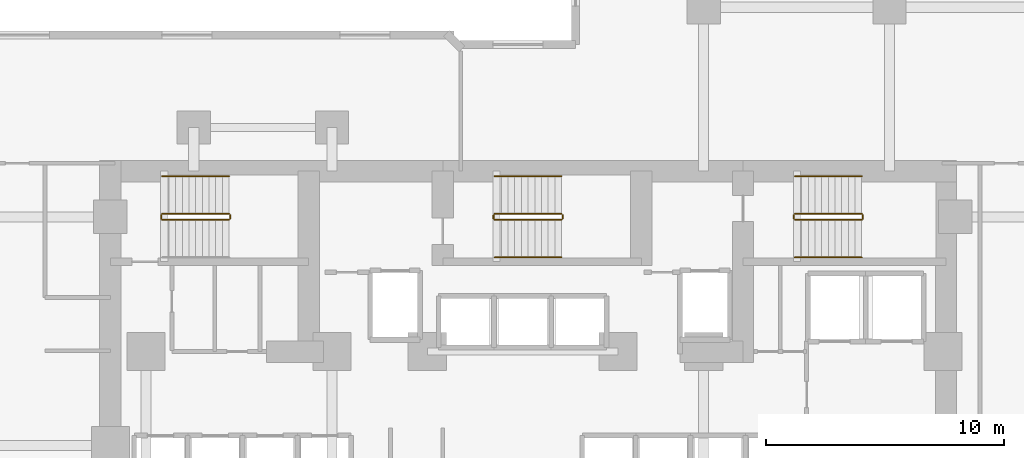
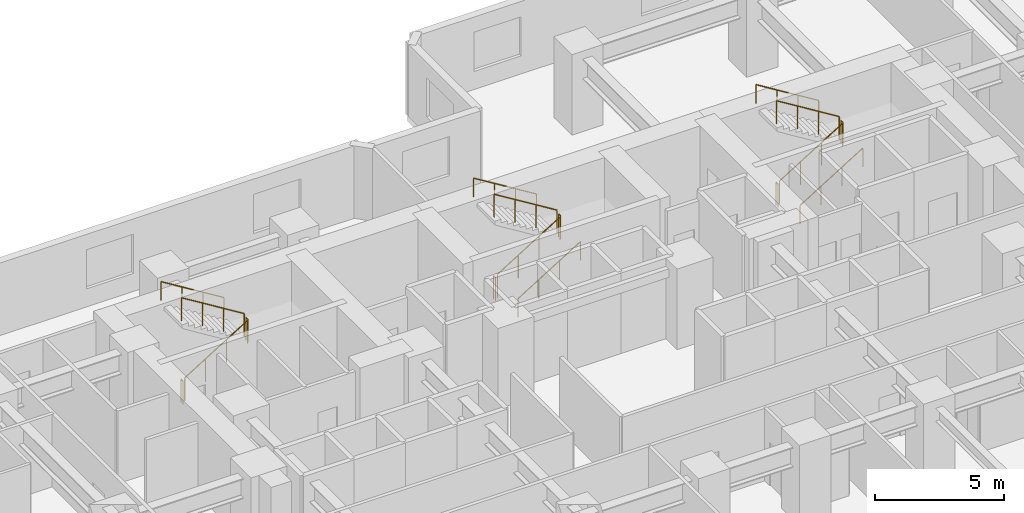
# One storey, part 11 of 11: 17 railings.
"""IFC4 building model written with IfcOpenShell, lengths in metres."""

import ifcopenshell
import ifcopenshell.guid

model = None  # the IFC model being written
_history = None  # IfcOwnerHistory: only IFC2X3 demands one
_inside = {}  # id of a spatial element -> (the spatial element, [elements in it])
_under = {}  # id of a project, library or spatial element -> (it, [spatial elements below it])
_declared = {}  # id of a project -> (the project, [libraries it declares])
_typed = {}  # id of a type object -> (the type object, [elements of that type])
_made_of = {}  # id of a material, layer set ... -> (it, [elements and type objects made of it])


def new_model(schema):
    """Start an empty IFC model of exactly this schema.

    Asked for "IFC4X3", IfcOpenShell would pick the latest addendum, in which some entities
    have other attributes; the version numbers below select the first issue.
    IFC2X3 requires an IfcOwnerHistory on every rooted entity: one is made here for all.
    """
    global model, _history
    if schema == "IFC4X3":
        model = ifcopenshell.file(schema_version=(4, 3, 0, 0))
    else:
        model = ifcopenshell.file(schema=schema)
    _inside.clear()
    _under.clear()
    _declared.clear()
    _typed.clear()
    _made_of.clear()
    _history = None
    if model.schema == "IFC2X3":
        org = make("IfcOrganization", Name="unknown")
        user = make(
            "IfcPersonAndOrganization",
            ThePerson=make("IfcPerson", FamilyName="unknown"),
            TheOrganization=org,
        )
        app = make(
            "IfcApplication",
            ApplicationDeveloper=org,
            Version="unknown",
            ApplicationFullName="unknown",
            ApplicationIdentifier="unknown",
        )
        _history = make(
            "IfcOwnerHistory",
            OwningUser=user,
            OwningApplication=app,
            ChangeAction="ADDED",
            CreationDate=0,
        )
    return model


def make(cls, **values):
    """One entity of the class cls with the attributes given. An attribute that is None is left unset."""
    return model.create_entity(
        cls, **{name: value for name, value in values.items() if value is not None}
    )


def rooted(cls, **values):
    """An entity with a GlobalId (a new one), such as an element, a storey or a relation."""
    return make(cls, GlobalId=ifcopenshell.guid.new(), OwnerHistory=_history, **values)


def si_unit(unit_type, name, prefix=None):
    """IfcSIUnit, for example si_unit("LENGTHUNIT", "METRE", prefix="MILLI")."""
    return make("IfcSIUnit", UnitType=unit_type, Prefix=prefix, Name=name)


def assignment(units):
    """IfcUnitAssignment: the units of a project."""
    return None if units is None else make("IfcUnitAssignment", Units=units)


def point(xyz):
    """IfcCartesianPoint."""
    return None if xyz is None else make("IfcCartesianPoint", Coordinates=xyz)


def direction(xyz):
    """IfcDirection."""
    return None if xyz is None else make("IfcDirection", DirectionRatios=xyz)


def frame(location, z_axis=None, x_axis=None):
    """IfcAxis2Placement3D, a coordinate frame: its origin and axes. An axis left out is left unset."""
    return make(
        "IfcAxis2Placement3D",
        Location=point(location),
        Axis=direction(z_axis),
        RefDirection=direction(x_axis),
    )


def frame_2d(location, x_axis=None):
    """IfcAxis2Placement2D, a coordinate frame in the plane: its origin and x axis."""
    return make(
        "IfcAxis2Placement2D", Location=point(location), RefDirection=direction(x_axis)
    )


def origin():
    """The frame at (0, 0, 0) with its axes left unset."""
    return frame((0.0, 0.0, 0.0))


def origin_2d():
    """The frame at (0, 0) in the plane with its x axis left unset."""
    return frame_2d((0.0, 0.0))


def place(relative_to, where):
    """IfcLocalPlacement: puts the frame where relative to a parent placement (None: the world)."""
    return make(
        "IfcLocalPlacement", PlacementRelTo=relative_to, RelativePlacement=where
    )


def context(
    kind, dimensions, precision=None, world=None, true_north=None, identifier=None
):
    """IfcGeometricRepresentationContext, for example the 3D "Model" context."""
    return make(
        "IfcGeometricRepresentationContext",
        ContextIdentifier=identifier,
        ContextType=kind,
        CoordinateSpaceDimension=dimensions,
        Precision=precision,
        WorldCoordinateSystem=world,
        TrueNorth=true_north,
    )


def subcontext(parent, identifier, kind, view, scale=None):
    """IfcGeometricRepresentationSubContext, for example "Body" below "Model"."""
    return make(
        "IfcGeometricRepresentationSubContext",
        ContextIdentifier=identifier,
        ContextType=kind,
        ParentContext=parent,
        TargetScale=scale,
        TargetView=view,
    )


def project(units=None, contexts=None):
    """IfcProject with its units and contexts."""
    return rooted(
        "IfcProject",
        Name="project",
        RepresentationContexts=contexts,
        UnitsInContext=assignment(units),
    )


def spatial(cls, under=None, at=None, **own):
    """A site, building, storey or space (cls), placed at a placement, below another one or the project."""
    s = rooted(cls, ObjectPlacement=at, **own)
    if under is not None:
        _under.setdefault(under.id(), (under, []))[1].append(s)
    return s


def profile(cls, at=None, kind="AREA", **sizes):
    """A parametric profile (cls). Its sizes go by their IFC names, for example OverallWidth=200.0."""
    return make(cls, ProfileType=kind, Position=at, **sizes)


def circle(**sizes):
    """IfcCircleProfileDef."""
    return profile("IfcCircleProfileDef", **sizes)


def extrude(swept, where, along, depth):
    """IfcExtrudedAreaSolid: the profile swept, set in the frame where, extruded along a direction by depth."""
    return make(
        "IfcExtrudedAreaSolid",
        SweptArea=swept,
        Position=where,
        ExtrudedDirection=direction(along),
        Depth=depth,
    )


def shape(context_of_items, identifier, shape_type, items):
    """IfcShapeRepresentation: the items that make up one representation, for example the "Body"."""
    return make(
        "IfcShapeRepresentation",
        ContextOfItems=context_of_items,
        RepresentationIdentifier=identifier,
        RepresentationType=shape_type,
        Items=items,
    )


def material(Name=None, Category=None):
    """IfcMaterial."""
    return make("IfcMaterial", Name=Name, Category=Category)


def made_of(thing, what):
    """Note that an element or type object is made of a material, layer set ...; save() writes the relation."""
    if what is not None:
        _made_of.setdefault(what.id(), (what, []))[1].append(thing)
    return thing


def type_object(cls, material=None, **own):
    """A type object (cls), such as IfcWallType, which elements share."""
    return made_of(rooted(cls, **own), material)


def element(
    cls,
    number,
    at=None,
    inside=None,
    cuts=None,
    type_object=None,
    material=None,
    context=None,
    identifier="Body",
    shape_type=None,
    held_by="IfcProductDefinitionShape",
    body=None,
    shapes=None,
    **own,
):
    """One element of the class cls, such as IfcWall. Its Tag is "e" and its number.

    at: its placement. inside: the storey or other place that contains it. cuts: it is an
    opening in that element (IfcRelVoidsElement). A single representation is given by context,
    identifier, shape_type and body (its items); several are given by shapes. held_by: the class
    of the entity that holds the representations. save() writes the other relations.
    """
    e = rooted(cls, Tag="e%d" % number, ObjectPlacement=at, **own)
    if body is not None:
        shapes = [shape(context, identifier, shape_type, body)]
    if shapes is not None:
        e.Representation = make(held_by, Representations=shapes)
    if inside is not None:
        _inside.setdefault(inside.id(), (inside, []))[1].append(e)
    if cuts is not None:
        rooted(
            "IfcRelVoidsElement", RelatingBuildingElement=cuts, RelatedOpeningElement=e
        )
    if type_object is not None:
        _typed.setdefault(type_object.id(), (type_object, []))[1].append(e)
    return made_of(e, material)


def aggregate(whole, parts):
    """IfcRelAggregates: a whole, such as a stair, and the parts it consists of."""
    return rooted("IfcRelAggregates", RelatingObject=whole, RelatedObjects=parts)


def save(model, path):
    """Write the relations noted so far, then the file.

    IfcRelAggregates (storeys below a building ...), IfcRelContainedInSpatialStructure (elements
    in a storey), IfcRelDefinesByType, IfcRelAssociatesMaterial and IfcRelDeclares: one each for
    every whole, place, type object, material and project.
    """
    for whole, parts in _under.values():
        aggregate(whole, parts)
    for where, things in _inside.values():
        rooted(
            "IfcRelContainedInSpatialStructure",
            RelatedElements=things,
            RelatingStructure=where,
        )
    for kind, things in _typed.values():
        rooted("IfcRelDefinesByType", RelatedObjects=things, RelatingType=kind)
    for what, things in _made_of.values():
        rooted("IfcRelAssociatesMaterial", RelatedObjects=things, RelatingMaterial=what)
    for by, libraries in _declared.values():
        rooted("IfcRelDeclares", RelatingContext=by, RelatedDefinitions=libraries)
    model.write(path)


model = new_model("IFC4")

# Units and contexts
model_context = context("Model", 3, precision=1e-05, world=origin(), true_north=direction((0.0, 1.0)))
body_context = subcontext(model_context, "Body", "Model", "MODEL_VIEW")
ifc_project = project(units=[si_unit("LENGTHUNIT", "METRE"), si_unit("AREAUNIT", "SQUARE_METRE"), si_unit("VOLUMEUNIT", "CUBIC_METRE"), si_unit("PLANEANGLEUNIT", "RADIAN"), si_unit("MASSUNIT", "GRAM", prefix="KILO")], contexts=[model_context])

# Site, building, storey
site_placement = place(None, origin())
site = spatial("IfcSite", under=ifc_project, at=site_placement, CompositionType="ELEMENT")
building_placement = place(site_placement, origin())
building = spatial("IfcBuilding", under=site, at=building_placement, Name="Kestravale Grand Hotel", CompositionType="ELEMENT")
storey_placement = place(building_placement, frame((0.0, 0.0, 71.60009765625)))
storey = spatial("IfcBuildingStorey", under=building, at=storey_placement, Name="L17", CompositionType="ELEMENT", Elevation=71.60009765625)

# Railings
ifc_material_1 = material(Name="Painted tubular steel stair well guard", Category="steel")
railing_type_1 = type_object("IfcRailingType", Name="RL-ST-GRD1100", PredefinedType="GUARDRAIL", material=ifc_material_1)
railing_1_placement = place(storey_placement, frame((24.080078125, 38.280029296875, 0.172607421875)))
element("IfcRailing", 1, at=railing_1_placement, inside=storey, type_object=railing_type_1, Name="L17 ST-1 stair guard 1", PredefinedType="GUARDRAIL", context=body_context, shape_type="SweptSolid", body=[
    extrude(circle(Radius=0.02392578125, at=origin_2d()), frame((0.0, 0.0, 1.076171875), z_axis=(0.851069175582, 0.0, 0.525053576669), x_axis=(0.0, 1.0, 0.0)), (0.0, 0.0, 1.0), 3.289794921875),
    extrude(circle(Radius=0.02099609375, at=origin_2d()), origin(), (0.0, 0.0, 1.0), 1.052001953125),
    extrude(circle(Radius=0.02099609375, at=origin_2d()), frame((0.933349609375, 0.0, 0.57568359375)), (0.0, 0.0, 1.0), 1.052001953125),
    extrude(circle(Radius=0.02099609375, at=origin_2d()), frame((1.866455078125, 0.0, 1.151611328125)), (0.0, 0.0, 1.0), 1.052001953125),
    extrude(circle(Radius=0.02099609375, at=origin_2d()), frame((2.7998046875, 0.0, 1.727294921875)), (0.0, 0.0, 1.0), 1.052001953125),
])
railing_2_placement = place(storey_placement, frame((26.929931640625, 38.330078125, 1.89990234375)))
element("IfcRailing", 2, at=railing_2_placement, inside=storey, type_object=railing_type_1, Name="L17 ST-1 stair guard 2", PredefinedType="GUARDRAIL", context=body_context, shape_type="SweptSolid", body=[
    extrude(circle(Radius=0.02392578125, at=origin_2d()), frame((0.0, 0.0, 1.076171875), z_axis=(0.0, 1.0, 0.0), x_axis=(-1.0, 0.0, 0.0)), (0.0, 0.0, 1.0), 0.14990234375),
    extrude(circle(Radius=0.02099609375, at=origin_2d()), origin(), (0.0, 0.0, 1.0), 1.052001953125),
    extrude(circle(Radius=0.02099609375, at=origin_2d()), frame((0.0, 0.14990234375, 0.0)), (0.0, 0.0, 1.0), 1.052001953125),
])
railing_3_placement = place(storey_placement, frame((26.8798828125, 38.530029296875, 2.072509765625)))
element("IfcRailing", 3, at=railing_3_placement, inside=storey, type_object=railing_type_1, Name="L17 ST-1 stair guard 3", PredefinedType="GUARDRAIL", context=body_context, shape_type="SweptSolid", body=[
    extrude(circle(Radius=0.02392578125, at=origin_2d()), frame((0.0, 0.0, 1.076171875), z_axis=(-0.851069175582, 0.0, 0.525053576669), x_axis=(0.0, -1.0, 0.0)), (0.0, 0.0, 1.0), 3.289794921875),
    extrude(circle(Radius=0.02099609375, at=origin_2d()), origin(), (0.0, 0.0, 1.0), 1.052001953125),
    extrude(circle(Radius=0.02099609375, at=origin_2d()), frame((-0.933349609375, 0.0, 0.57568359375)), (0.0, 0.0, 1.0), 1.052001953125),
    extrude(circle(Radius=0.02099609375, at=origin_2d()), frame((-1.866455078125, 0.0, 1.151611328125)), (0.0, 0.0, 1.0), 1.052001953125),
    extrude(circle(Radius=0.02099609375, at=origin_2d()), frame((-2.7998046875, 0.0, 1.727294921875)), (0.0, 0.0, 1.0), 1.052001953125),
])
railing_4_placement = place(storey_placement, frame((24.030029296875, 38.330078125, 0.0)))
element("IfcRailing", 4, at=railing_4_placement, inside=storey, type_object=railing_type_1, Name="L17 ST-1 stair guard 4", PredefinedType="GUARDRAIL", context=body_context, shape_type="SweptSolid", body=[
    extrude(circle(Radius=0.02392578125, at=origin_2d()), frame((0.0, 0.0, 1.076171875), z_axis=(0.0, 1.0, 0.0), x_axis=(-1.0, 0.0, 0.0)), (0.0, 0.0, 1.0), 0.14990234375),
    extrude(circle(Radius=0.02099609375, at=origin_2d()), origin(), (0.0, 0.0, 1.0), 1.052001953125),
    extrude(circle(Radius=0.02099609375, at=origin_2d()), frame((0.0, 0.14990234375, 0.0)), (0.0, 0.0, 1.0), 1.052001953125),
])
railing_5_placement = place(storey_placement, frame((38.030029296875, 38.280029296875, 0.172607421875)))
element("IfcRailing", 5, at=railing_5_placement, inside=storey, type_object=railing_type_1, Name="L17 ST-2 stair guard 1", PredefinedType="GUARDRAIL", context=body_context, shape_type="SweptSolid", body=[
    extrude(circle(Radius=0.02392578125, at=origin_2d()), frame((0.0, 0.0, 1.076171875), z_axis=(0.851089632645, 0.0, 0.525020415988), x_axis=(0.0, 1.0, 0.0)), (0.0, 0.0, 1.0), 3.2900390625),
    extrude(circle(Radius=0.02099609375, at=origin_2d()), origin(), (0.0, 0.0, 1.0), 1.052001953125),
    extrude(circle(Radius=0.02099609375, at=origin_2d()), frame((0.933349609375, 0.0, 0.57568359375)), (0.0, 0.0, 1.0), 1.052001953125),
    extrude(circle(Radius=0.02099609375, at=origin_2d()), frame((1.86669921875, 0.0, 1.151611328125)), (0.0, 0.0, 1.0), 1.052001953125),
    extrude(circle(Radius=0.02099609375, at=origin_2d()), frame((2.800048828125, 0.0, 1.727294921875)), (0.0, 0.0, 1.0), 1.052001953125),
])
railing_6_placement = place(storey_placement, frame((40.8798828125, 38.330078125, 1.89990234375)))
element("IfcRailing", 6, at=railing_6_placement, inside=storey, type_object=railing_type_1, Name="L17 ST-2 stair guard 2", PredefinedType="GUARDRAIL", context=body_context, shape_type="SweptSolid", body=[
    extrude(circle(Radius=0.02392578125, at=origin_2d()), frame((0.0, 0.0, 1.076171875), z_axis=(0.0, 1.0, 0.0), x_axis=(-1.0, 0.0, 0.0)), (0.0, 0.0, 1.0), 0.14990234375),
    extrude(circle(Radius=0.02099609375, at=origin_2d()), origin(), (0.0, 0.0, 1.0), 1.052001953125),
    extrude(circle(Radius=0.02099609375, at=origin_2d()), frame((0.0, 0.14990234375, 0.0)), (0.0, 0.0, 1.0), 1.052001953125),
])
railing_7_placement = place(storey_placement, frame((40.830078125, 38.530029296875, 2.072509765625)))
element("IfcRailing", 7, at=railing_7_placement, inside=storey, type_object=railing_type_1, Name="L17 ST-2 stair guard 3", PredefinedType="GUARDRAIL", context=body_context, shape_type="SweptSolid", body=[
    extrude(circle(Radius=0.02392578125, at=origin_2d()), frame((0.0, 0.0, 1.076171875), z_axis=(-0.851089632645, 0.0, 0.525020415988), x_axis=(0.0, -1.0, 0.0)), (0.0, 0.0, 1.0), 3.2900390625),
    extrude(circle(Radius=0.02099609375, at=origin_2d()), origin(), (0.0, 0.0, 1.0), 1.052001953125),
    extrude(circle(Radius=0.02099609375, at=origin_2d()), frame((-0.933349609375, 0.0, 0.57568359375)), (0.0, 0.0, 1.0), 1.052001953125),
    extrude(circle(Radius=0.02099609375, at=origin_2d()), frame((-1.86669921875, 0.0, 1.151611328125)), (0.0, 0.0, 1.0), 1.052001953125),
    extrude(circle(Radius=0.02099609375, at=origin_2d()), frame((-2.800048828125, 0.0, 1.727294921875)), (0.0, 0.0, 1.0), 1.052001953125),
])
railing_8_placement = place(storey_placement, frame((37.97998046875, 38.330078125, 0.0)))
element("IfcRailing", 8, at=railing_8_placement, inside=storey, type_object=railing_type_1, Name="L17 ST-2 stair guard 4", PredefinedType="GUARDRAIL", context=body_context, shape_type="SweptSolid", body=[
    extrude(circle(Radius=0.02392578125, at=origin_2d()), frame((0.0, 0.0, 1.076171875), z_axis=(0.0, 1.0, 0.0), x_axis=(-1.0, 0.0, 0.0)), (0.0, 0.0, 1.0), 0.14990234375),
    extrude(circle(Radius=0.02099609375, at=origin_2d()), origin(), (0.0, 0.0, 1.0), 1.052001953125),
    extrude(circle(Radius=0.02099609375, at=origin_2d()), frame((0.0, 0.14990234375, 0.0)), (0.0, 0.0, 1.0), 1.052001953125),
])
railing_9_placement = place(storey_placement, frame((50.6298828125, 38.280029296875, 0.172607421875)))
element("IfcRailing", 9, at=railing_9_placement, inside=storey, type_object=railing_type_1, Name="L17 ST-3 stair guard 1", PredefinedType="GUARDRAIL", context=body_context, shape_type="SweptSolid", body=[
    extrude(circle(Radius=0.02392578125, at=origin_2d()), frame((0.0, 0.0, 1.076171875), z_axis=(0.851089632645, 0.0, 0.525020415988), x_axis=(0.0, 1.0, 0.0)), (0.0, 0.0, 1.0), 3.2900390625),
    extrude(circle(Radius=0.02099609375, at=origin_2d()), origin(), (0.0, 0.0, 1.0), 1.052001953125),
    extrude(circle(Radius=0.02099609375, at=origin_2d()), frame((0.933349609375, 0.0, 0.57568359375)), (0.0, 0.0, 1.0), 1.052001953125),
    extrude(circle(Radius=0.02099609375, at=origin_2d()), frame((1.86669921875, 0.0, 1.151611328125)), (0.0, 0.0, 1.0), 1.052001953125),
    extrude(circle(Radius=0.02099609375, at=origin_2d()), frame((2.800048828125, 0.0, 1.727294921875)), (0.0, 0.0, 1.0), 1.052001953125),
])
railing_10_placement = place(storey_placement, frame((53.47998046875, 38.330078125, 1.89990234375)))
element("IfcRailing", 10, at=railing_10_placement, inside=storey, type_object=railing_type_1, Name="L17 ST-3 stair guard 2", PredefinedType="GUARDRAIL", context=body_context, shape_type="SweptSolid", body=[
    extrude(circle(Radius=0.02392578125, at=origin_2d()), frame((0.0, 0.0, 1.076171875), z_axis=(0.0, 1.0, 0.0), x_axis=(-1.0, 0.0, 0.0)), (0.0, 0.0, 1.0), 0.14990234375),
    extrude(circle(Radius=0.02099609375, at=origin_2d()), origin(), (0.0, 0.0, 1.0), 1.052001953125),
    extrude(circle(Radius=0.02099609375, at=origin_2d()), frame((0.0, 0.14990234375, 0.0)), (0.0, 0.0, 1.0), 1.052001953125),
])
railing_11_placement = place(storey_placement, frame((53.429931640625, 38.530029296875, 2.072509765625)))
element("IfcRailing", 11, at=railing_11_placement, inside=storey, type_object=railing_type_1, Name="L17 ST-3 stair guard 3", PredefinedType="GUARDRAIL", context=body_context, shape_type="SweptSolid", body=[
    extrude(circle(Radius=0.02392578125, at=origin_2d()), frame((0.0, 0.0, 1.076171875), z_axis=(-0.851089632645, 0.0, 0.525020415988), x_axis=(0.0, -1.0, 0.0)), (0.0, 0.0, 1.0), 3.2900390625),
    extrude(circle(Radius=0.02099609375, at=origin_2d()), origin(), (0.0, 0.0, 1.0), 1.052001953125),
    extrude(circle(Radius=0.02099609375, at=origin_2d()), frame((-0.933349609375, 0.0, 0.57568359375)), (0.0, 0.0, 1.0), 1.052001953125),
    extrude(circle(Radius=0.02099609375, at=origin_2d()), frame((-1.86669921875, 0.0, 1.151611328125)), (0.0, 0.0, 1.0), 1.052001953125),
    extrude(circle(Radius=0.02099609375, at=origin_2d()), frame((-2.800048828125, 0.0, 1.727294921875)), (0.0, 0.0, 1.0), 1.052001953125),
])
railing_12_placement = place(storey_placement, frame((50.580078125, 38.330078125, 0.0)))
element("IfcRailing", 12, at=railing_12_placement, inside=storey, type_object=railing_type_1, Name="L17 ST-3 stair guard 4", PredefinedType="GUARDRAIL", context=body_context, shape_type="SweptSolid", body=[
    extrude(circle(Radius=0.02392578125, at=origin_2d()), frame((0.0, 0.0, 1.076171875), z_axis=(0.0, 1.0, 0.0), x_axis=(-1.0, 0.0, 0.0)), (0.0, 0.0, 1.0), 0.14990234375),
    extrude(circle(Radius=0.02099609375, at=origin_2d()), origin(), (0.0, 0.0, 1.0), 1.052001953125),
    extrude(circle(Radius=0.02099609375, at=origin_2d()), frame((0.0, 0.14990234375, 0.0)), (0.0, 0.0, 1.0), 1.052001953125),
])
ifc_material_2 = material(Name="Brushed stainless steel wall handrail", Category="steel")
railing_type_2 = type_object("IfcRailingType", Name="RL-ST-HND900", PredefinedType="HANDRAIL", material=ifc_material_2)
railing_13_placement = place(storey_placement, frame((26.8798828125, 40.110107421875, 2.072509765625)))
element("IfcRailing", 13, at=railing_13_placement, inside=storey, type_object=railing_type_2, Name="L17 ST-1 stair handrail 2", PredefinedType="HANDRAIL", context=body_context, shape_type="SweptSolid", body=[
    extrude(circle(Radius=0.02392578125, at=origin_2d()), frame((0.0, 0.0, 0.8759765625), z_axis=(-0.851069175582, 0.0, 0.525053576669), x_axis=(0.0, -1.0, 0.0)), (0.0, 0.0, 1.0), 3.289794921875),
    extrude(circle(Radius=0.02099609375, at=origin_2d()), origin(), (0.0, 0.0, 1.0), 0.851806640625),
    extrude(circle(Radius=0.02099609375, at=origin_2d()), frame((-0.933349609375, 0.0, 0.57568359375)), (0.0, 0.0, 1.0), 0.851806640625),
    extrude(circle(Radius=0.02099609375, at=origin_2d()), frame((-1.866455078125, 0.0, 1.151611328125)), (0.0, 0.0, 1.0), 0.851806640625),
    extrude(circle(Radius=0.02099609375, at=origin_2d()), frame((-2.7998046875, 0.0, 1.727294921875)), (0.0, 0.0, 1.0), 0.851806640625),
])
railing_14_placement = place(storey_placement, frame((38.030029296875, 36.699951171875, 0.172607421875)))
element("IfcRailing", 14, at=railing_14_placement, inside=storey, type_object=railing_type_2, Name="L17 ST-2 stair handrail 1", PredefinedType="HANDRAIL", context=body_context, shape_type="SweptSolid", body=[
    extrude(circle(Radius=0.02392578125, at=origin_2d()), frame((0.0, 0.0, 0.8759765625), z_axis=(0.851089632645, 0.0, 0.525020415988), x_axis=(0.0, 1.0, 0.0)), (0.0, 0.0, 1.0), 3.2900390625),
    extrude(circle(Radius=0.02099609375, at=origin_2d()), origin(), (0.0, 0.0, 1.0), 0.851806640625),
    extrude(circle(Radius=0.02099609375, at=origin_2d()), frame((0.933349609375, 0.0, 0.57568359375)), (0.0, 0.0, 1.0), 0.851806640625),
    extrude(circle(Radius=0.02099609375, at=origin_2d()), frame((1.86669921875, 0.0, 1.151611328125)), (0.0, 0.0, 1.0), 0.851806640625),
    extrude(circle(Radius=0.02099609375, at=origin_2d()), frame((2.800048828125, 0.0, 1.727294921875)), (0.0, 0.0, 1.0), 0.851806640625),
])
railing_15_placement = place(storey_placement, frame((40.830078125, 40.110107421875, 2.072509765625)))
element("IfcRailing", 15, at=railing_15_placement, inside=storey, type_object=railing_type_2, Name="L17 ST-2 stair handrail 2", PredefinedType="HANDRAIL", context=body_context, shape_type="SweptSolid", body=[
    extrude(circle(Radius=0.02392578125, at=origin_2d()), frame((0.0, 0.0, 0.8759765625), z_axis=(-0.851089632645, 0.0, 0.525020415988), x_axis=(0.0, -1.0, 0.0)), (0.0, 0.0, 1.0), 3.2900390625),
    extrude(circle(Radius=0.02099609375, at=origin_2d()), origin(), (0.0, 0.0, 1.0), 0.851806640625),
    extrude(circle(Radius=0.02099609375, at=origin_2d()), frame((-0.933349609375, 0.0, 0.57568359375)), (0.0, 0.0, 1.0), 0.851806640625),
    extrude(circle(Radius=0.02099609375, at=origin_2d()), frame((-1.86669921875, 0.0, 1.151611328125)), (0.0, 0.0, 1.0), 0.851806640625),
    extrude(circle(Radius=0.02099609375, at=origin_2d()), frame((-2.800048828125, 0.0, 1.727294921875)), (0.0, 0.0, 1.0), 0.851806640625),
])
railing_16_placement = place(storey_placement, frame((50.6298828125, 36.699951171875, 0.172607421875)))
element("IfcRailing", 16, at=railing_16_placement, inside=storey, type_object=railing_type_2, Name="L17 ST-3 stair handrail 1", PredefinedType="HANDRAIL", context=body_context, shape_type="SweptSolid", body=[
    extrude(circle(Radius=0.02392578125, at=origin_2d()), frame((0.0, 0.0, 0.8759765625), z_axis=(0.851089632645, 0.0, 0.525020415988), x_axis=(0.0, 1.0, 0.0)), (0.0, 0.0, 1.0), 3.2900390625),
    extrude(circle(Radius=0.02099609375, at=origin_2d()), origin(), (0.0, 0.0, 1.0), 0.851806640625),
    extrude(circle(Radius=0.02099609375, at=origin_2d()), frame((0.933349609375, 0.0, 0.57568359375)), (0.0, 0.0, 1.0), 0.851806640625),
    extrude(circle(Radius=0.02099609375, at=origin_2d()), frame((1.86669921875, 0.0, 1.151611328125)), (0.0, 0.0, 1.0), 0.851806640625),
    extrude(circle(Radius=0.02099609375, at=origin_2d()), frame((2.800048828125, 0.0, 1.727294921875)), (0.0, 0.0, 1.0), 0.851806640625),
])
railing_17_placement = place(storey_placement, frame((53.429931640625, 40.110107421875, 2.072509765625)))
element("IfcRailing", 17, at=railing_17_placement, inside=storey, type_object=railing_type_2, Name="L17 ST-3 stair handrail 2", PredefinedType="HANDRAIL", context=body_context, shape_type="SweptSolid", body=[
    extrude(circle(Radius=0.02392578125, at=origin_2d()), frame((0.0, 0.0, 0.8759765625), z_axis=(-0.851089632645, 0.0, 0.525020415988), x_axis=(0.0, -1.0, 0.0)), (0.0, 0.0, 1.0), 3.2900390625),
    extrude(circle(Radius=0.02099609375, at=origin_2d()), origin(), (0.0, 0.0, 1.0), 0.851806640625),
    extrude(circle(Radius=0.02099609375, at=origin_2d()), frame((-0.933349609375, 0.0, 0.57568359375)), (0.0, 0.0, 1.0), 0.851806640625),
    extrude(circle(Radius=0.02099609375, at=origin_2d()), frame((-1.86669921875, 0.0, 1.151611328125)), (0.0, 0.0, 1.0), 0.851806640625),
    extrude(circle(Radius=0.02099609375, at=origin_2d()), frame((-2.800048828125, 0.0, 1.727294921875)), (0.0, 0.0, 1.0), 0.851806640625),
])

save(model, "model.ifc")
